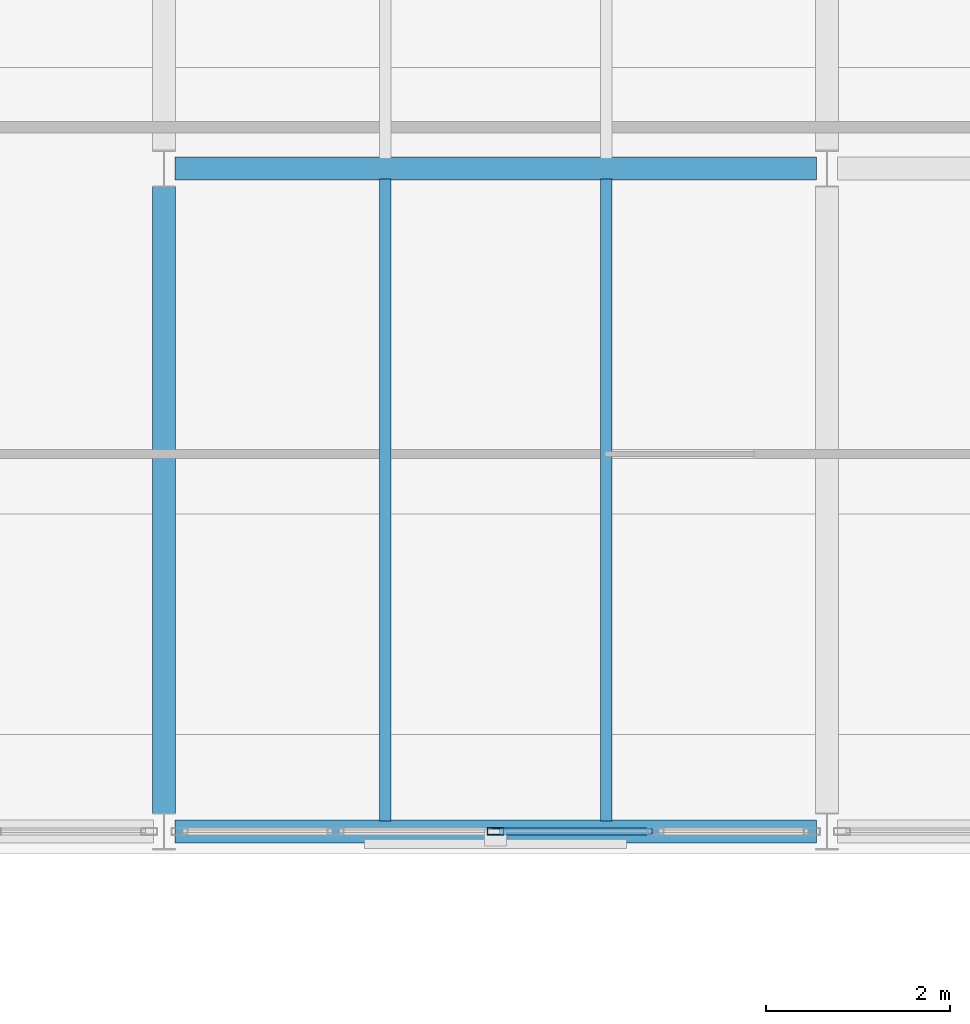
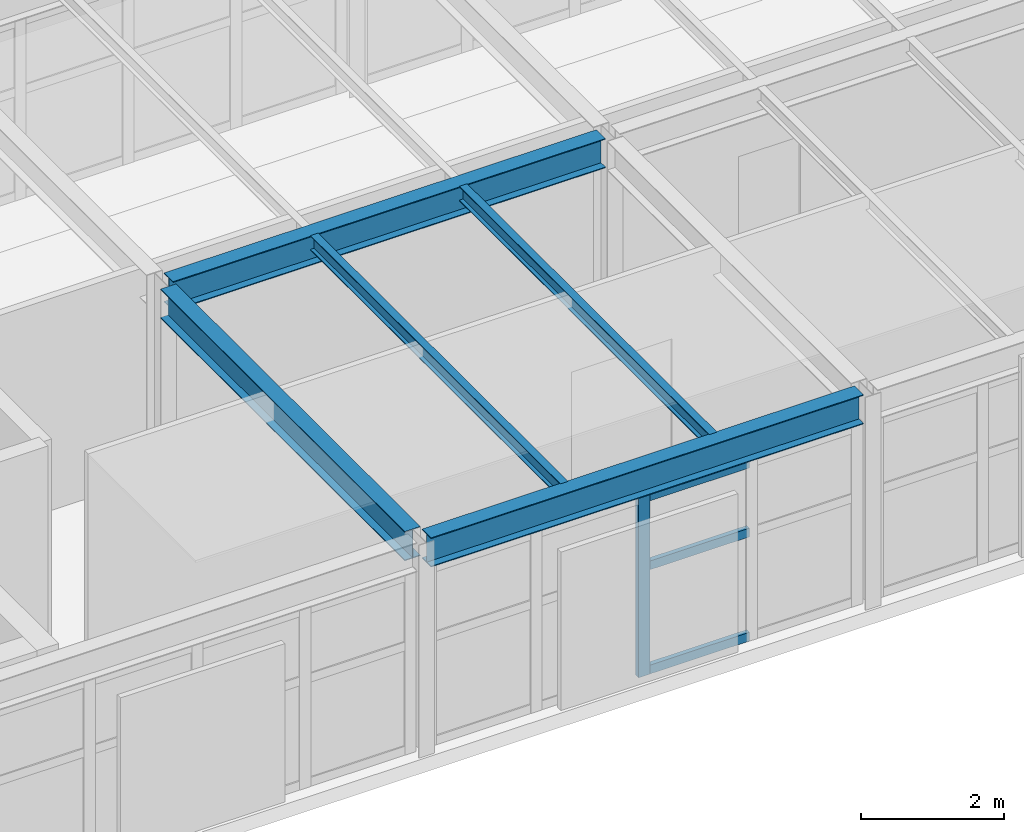
# One storey, part 16 of 48: 5 beams, 4 members, 1 element without a shape of its own.
"""IFC4 building model written with IfcOpenShell, lengths in metres."""

from ifc_helpers import new_model, si_unit, direction, frame, origin, origin_2d, place, context, subcontext, project, spatial, hollow_rectangle, i_section, extrude, material, layer, layer_set, material_profile, profile_set, type_object, element, aggregate, save


model = new_model("IFC4")

# Units and contexts
model_context = context("Model", 3, precision=1e-05, world=origin(), true_north=direction((0.0, 1.0)))
body_context = subcontext(model_context, "Body", "Model", "MODEL_VIEW")
ifc_project = project(units=[si_unit("LENGTHUNIT", "METRE"), si_unit("AREAUNIT", "SQUARE_METRE"), si_unit("VOLUMEUNIT", "CUBIC_METRE"), si_unit("PLANEANGLEUNIT", "RADIAN"), si_unit("MASSUNIT", "GRAM", prefix="KILO")], contexts=[model_context])

# Site, building, storey
site_placement = place(None, origin())
site = spatial("IfcSite", under=ifc_project, at=site_placement, CompositionType="ELEMENT")
building_placement = place(site_placement, origin())
building = spatial("IfcBuilding", under=site, at=building_placement, Name="Kandorven Conservatory and Botanical Research Centre", CompositionType="ELEMENT")
storey_placement = place(building_placement, frame((0.0, 0.0, 13.199951171875)))
storey = spatial("IfcBuildingStorey", under=building, at=storey_placement, Name="L03", CompositionType="ELEMENT", Elevation=13.199951171875)

# Beams
ifc_material_1 = material(Name="Steel S355 (IS 2062 E350)", Category="steel")
ifc_material_profile_1 = material_profile(ifc_material_1, i_section(OverallWidth=0.25, OverallDepth=0.5, WebThickness=0.010009765625, FlangeThickness=0.0146484375, at=origin_2d()))
ifc_profile_set_1 = profile_set([ifc_material_profile_1], Name="Steel S355 (IS 2062 E350)")
beam_type_1 = type_object("IfcBeamType", Name="Beam_FG-02", PredefinedType="USERDEFINED", material=ifc_profile_set_1)
for number, where, z_axis, x_axis, name in (
    (1, (63.715087890625, 13.199951171875, 3.375), (1.0, 0.0, 0.0), (0.0, 1.0, 0.0), "Primary girder FG-02 VIS L03"),
    (2, (63.715087890625, 20.39990234375, 3.375), (1.0, 0.0, 0.0), (0.0, 1.0, 0.0), "Primary girder FG-02 VIS L03"),
):
    element("IfcBeam", number, at=place(storey_placement, frame(where, z_axis=z_axis, x_axis=x_axis)), inside=storey, type_object=beam_type_1, Name=name, ObjectType="GIRDER", PredefinedType="USERDEFINED", context=body_context, shape_type="SweptSolid", body=[
        extrude(i_section(OverallWidth=0.25, OverallDepth=0.5, WebThickness=0.010009765625, FlangeThickness=0.0146484375, at=origin_2d()), origin(), (0.0, 0.0, 1.0), 6.969970703125),
    ])
beam_placement = place(storey_placement, frame((63.60009765625, 13.389892578125, 3.375), z_axis=(0.0, 1.0, 0.0), x_axis=(-1.0, 0.0, 0.0)))
element("IfcBeam", 3, at=beam_placement, inside=storey, type_object=beam_type_1, Name="Primary girder FG-02 VIS L03", ObjectType="GIRDER", PredefinedType="USERDEFINED", context=body_context, shape_type="SweptSolid", body=[
    extrude(i_section(OverallWidth=0.25, OverallDepth=0.5, WebThickness=0.010009765625, FlangeThickness=0.0146484375, at=origin_2d()), origin(), (0.0, 0.0, 1.0), 6.820068359375),
])
ifc_material_2 = material(Name="Steel S355 (IS 2062 E350)", Category="steel")
ifc_material_profile_2 = material_profile(ifc_material_2, i_section(OverallWidth=0.125, OverallDepth=0.25, WebThickness=0.0068359375, FlangeThickness=0.012451171875, at=origin_2d()))
ifc_profile_set_2 = profile_set([ifc_material_profile_2], Name="Steel S355 (IS 2062 E350)")
beam_type_2 = type_object("IfcBeamType", Name="Beam_RJ-01", PredefinedType="JOIST", material=ifc_profile_set_2)
for number, where, z_axis, x_axis, name in (
    (4, (66.0, 13.31005859375, 3.5), (0.0, 1.0, 0.0), (-1.0, 0.0, 0.0), "Composite secondary beam RJ-01 VIS L03"),
    (5, (68.39990234375, 13.31005859375, 3.5), (0.0, 1.0, 0.0), (-1.0, 0.0, 0.0), "Composite secondary beam RJ-01 VIS L03"),
):
    element("IfcBeam", number, at=place(storey_placement, frame(where, z_axis=z_axis, x_axis=x_axis)), inside=storey, type_object=beam_type_2, Name=name, PredefinedType="JOIST", context=body_context, shape_type="SweptSolid", body=[
        extrude(i_section(OverallWidth=0.125, OverallDepth=0.25, WebThickness=0.0068359375, FlangeThickness=0.012451171875, at=origin_2d()), origin(), (0.0, 0.0, 1.0), 6.97998046875),
    ])

# Curtain wall, members
ifc_material_3 = material(Name="Bronze anodised thermally broken aluminium", Category="aluminium")
ifc_layer = layer(ifc_material_3, 0.179931640625)
ifc_layer_set = layer_set([ifc_layer], Name="Bronze anodised thermally broken aluminium")
curtain_wall_type = type_object("IfcCurtainWallType", Name="CW_Unitised", PredefinedType="USERDEFINED", material=ifc_layer_set)
curtain_wall_placement = place(storey_placement, origin())
curtain_wall = element("IfcCurtainWall", 6, at=curtain_wall_placement, inside=storey, type_object=curtain_wall_type, Name="Visitor wing unitised curtain wall CW-VIS-S-L03-4", ObjectType="UNITISED GLAZING", PredefinedType="USERDEFINED")
ifc_material_4 = material(Name="Bronze anodised thermally broken aluminium", Category="aluminium")
ifc_material_profile_3 = material_profile(ifc_material_4, hollow_rectangle(XDim=0.080078125, YDim=0.179931640625, WallThickness=0.006103515625, at=origin_2d()))
ifc_profile_set_3 = profile_set([ifc_material_profile_3], Name="Bronze anodised thermally broken aluminium")
member_type_1 = type_object("IfcMemberType", Name="CW_Mullion", PredefinedType="MULLION", material=ifc_profile_set_3)
member_1_placement = place(storey_placement, frame((67.199951171875, 13.199951171875, 0.0), z_axis=(0.0, 0.0, 1.0), x_axis=(0.0, 1.0, 0.0)))
member_1 = element("IfcMember", 7, at=member_1_placement, type_object=member_type_1, Name="CW-01 mullion 3", PredefinedType="MULLION", context=body_context, shape_type="SweptSolid", body=[
    extrude(hollow_rectangle(XDim=0.080078125, YDim=0.179931640625, WallThickness=0.006103515625, at=origin_2d()), origin(), (0.0, 0.0, 1.0), 3.10009765625),
])
ifc_material_5 = material(Name="Bronze anodised thermally broken aluminium", Category="aluminium")
ifc_material_profile_4 = material_profile(ifc_material_5, hollow_rectangle(XDim=0.074951171875, YDim=0.14990234375, WallThickness=0.006103515625, at=origin_2d()))
ifc_profile_set_4 = profile_set([ifc_material_profile_4], Name="Bronze anodised thermally broken aluminium")
member_type_2 = type_object("IfcMemberType", Name="CW_Transom", PredefinedType="USERDEFINED", material=ifc_profile_set_4)
member_2_placement = place(storey_placement, frame((67.239990234375, 13.199951171875, 0.074951171875), z_axis=(1.0, 0.0, 0.0), x_axis=(0.0, 1.0, 0.0)))
member_2 = element("IfcMember", 8, at=member_2_placement, type_object=member_type_2, Name="CW-01 transom 3.1", ObjectType="TRANSOM", PredefinedType="USERDEFINED", context=body_context, shape_type="SweptSolid", body=[
    extrude(hollow_rectangle(XDim=0.074951171875, YDim=0.14990234375, WallThickness=0.006103515625, at=origin_2d()), origin(), (0.0, 0.0, 1.0), 1.657470703125),
])
member_3_placement = place(storey_placement, frame((67.239990234375, 13.199951171875, 1.85009765625), z_axis=(1.0, 0.0, 0.0), x_axis=(0.0, 1.0, 0.0)))
member_3 = element("IfcMember", 9, at=member_3_placement, type_object=member_type_2, Name="CW-01 transom 3.2", ObjectType="TRANSOM", PredefinedType="USERDEFINED", context=body_context, shape_type="SweptSolid", body=[
    extrude(hollow_rectangle(XDim=0.074951171875, YDim=0.14990234375, WallThickness=0.006103515625, at=origin_2d()), origin(), (0.0, 0.0, 1.0), 1.657470703125),
])
member_4_placement = place(storey_placement, frame((67.239990234375, 13.199951171875, 3.025146484375), z_axis=(1.0, 0.0, 0.0), x_axis=(0.0, 1.0, 0.0)))
member_4 = element("IfcMember", 10, at=member_4_placement, type_object=member_type_2, Name="CW-01 transom 3.3", ObjectType="TRANSOM", PredefinedType="USERDEFINED", context=body_context, shape_type="SweptSolid", body=[
    extrude(hollow_rectangle(XDim=0.074951171875, YDim=0.14990234375, WallThickness=0.006103515625, at=origin_2d()), origin(), (0.0, 0.0, 1.0), 1.657470703125),
])
aggregate(curtain_wall, [member_1, member_2, member_3, member_4])

save(model, "model.ifc")
